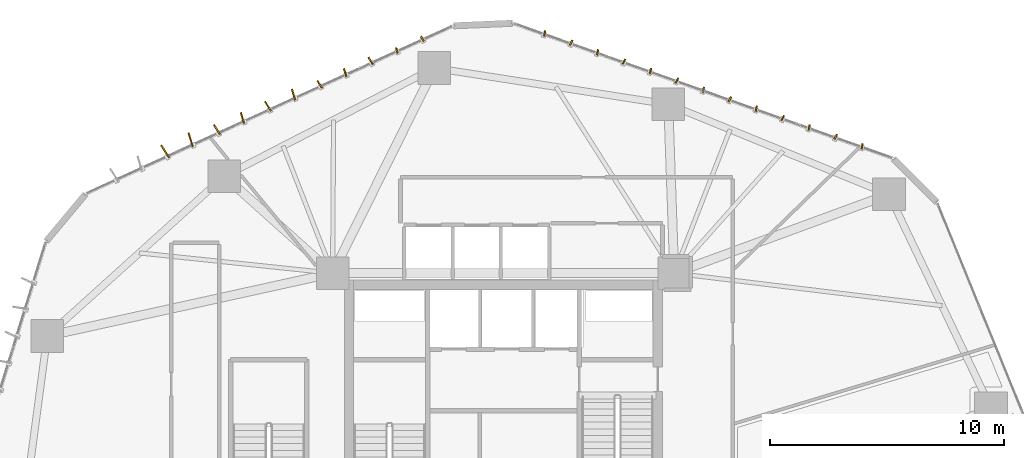
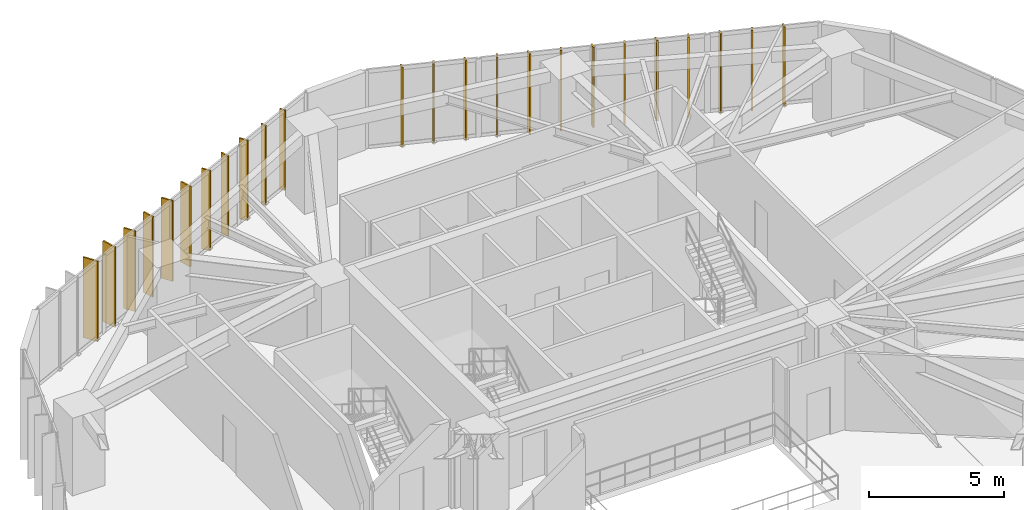
# One storey, part 24 of 24: 24 shading devices.
"""IFC4 building model written with IfcOpenShell, lengths in metres."""

from ifc_helpers import new_model, si_unit, direction, frame, origin, origin_2d, place, context, subcontext, project, spatial, rectangle, extrude, source, transform, mapped, material, layer, layer_set, type_object, type_shapes, element, save


model = new_model("IFC4")

# Units and contexts
model_context = context("Model", 3, precision=1e-05, world=origin(), true_north=direction((0.0, 1.0)))
body_context = subcontext(model_context, "Body", "Model", "MODEL_VIEW")
ifc_project = project(units=[si_unit("LENGTHUNIT", "METRE"), si_unit("AREAUNIT", "SQUARE_METRE"), si_unit("VOLUMEUNIT", "CUBIC_METRE"), si_unit("PLANEANGLEUNIT", "RADIAN"), si_unit("MASSUNIT", "GRAM", prefix="KILO")], contexts=[model_context])

# Site, building, storey
site_placement = place(None, origin())
site = spatial("IfcSite", under=ifc_project, at=site_placement, CompositionType="ELEMENT")
building_placement = place(site_placement, origin())
building = spatial("IfcBuilding", under=site, at=building_placement, Name="Talar Marvaseh", CompositionType="ELEMENT")
storey_placement = place(building_placement, frame((0.0, 0.0, 31.60009765625)))
storey = spatial("IfcBuildingStorey", under=building, at=storey_placement, Name="L07", CompositionType="ELEMENT", Elevation=31.60009765625)

# Shading devices
ifc_material = material(Name="Anodised Champagne Bronze Aluminium", Category="aluminium")
ifc_layer_1 = layer(ifc_material, 0.06494140625)
ifc_layer_set_1 = layer_set([ifc_layer_1], Name="Anodised Champagne Bronze Aluminium")
shading_device_type_1 = type_object("IfcShadingDeviceType", Name="Sawtooth Champagne Bronze Vertical Fin 240", PredefinedType="USERDEFINED", material=ifc_layer_set_1)
shared_shape_1 = source(origin(), body_context, "Body", "SweptSolid", [
    extrude(rectangle(XDim=0.239990234375, YDim=0.06494140625, at=origin_2d()), origin(), (0.0, 0.0, 1.0), 3.639892578125),
])
type_shapes(shading_device_type_1, [shared_shape_1])
for number, where, z_axis, x_axis, name in (
    (1, (21.44140625, 46.420654296875, -0.1201171875), (0.0, 0.0, 1.0), (-0.28518655174, 0.958472029173, 0.0), "L07 Sawtooth Vertical Solar Fin"),
    (2, (22.53271484375, 46.919677734375, -0.1201171875), (0.0, 0.0, 1.0), (-0.53832960413, 0.842734381236, 0.0), "L07 Sawtooth Vertical Solar Fin"),
    (3, (27.76171875, 47.14794921875, -0.1201171875), (0.0, 0.0, 1.0), (0.200564989205, 0.97968039947, 0.0), "L07 Sawtooth Vertical Solar Fin"),
    (4, (28.892333984375, 46.74609375, -0.1201171875), (0.0, 0.0, 1.0), (0.462831956524, 0.886446038978, 0.0), "L07 Sawtooth Vertical Solar Fin"),
    (5, (30.02294921875, 46.343994140625, -0.1201171875), (0.0, 0.0, 1.0), (0.200564989205, 0.97968039947, 0.0), "L07 Sawtooth Vertical Solar Fin"),
    (6, (31.15380859375, 45.942138671875, -0.1201171875), (0.0, 0.0, 1.0), (0.462831956524, 0.886446038978, 0.0), "L07 Sawtooth Vertical Solar Fin"),
    (7, (32.284423828125, 45.540283203125, -0.1201171875), (0.0, 0.0, 1.0), (0.200564989205, 0.97968039947, 0.0), "L07 Sawtooth Vertical Solar Fin"),
    (8, (33.4150390625, 45.13818359375, -0.1201171875), (0.0, 0.0, 1.0), (0.462831956524, 0.886446038978, 0.0), "L07 Sawtooth Vertical Solar Fin"),
    (9, (34.5458984375, 44.736328125, -0.1201171875), (0.0, 0.0, 1.0), (0.200564989205, 0.97968039947, 0.0), "L07 Sawtooth Vertical Solar Fin"),
    (10, (35.676513671875, 44.33447265625, -0.1201171875), (0.0, 0.0, 1.0), (0.462831956524, 0.886446038978, 0.0), "L07 Sawtooth Vertical Solar Fin"),
    (11, (36.80712890625, 43.9326171875, -0.1201171875), (0.0, 0.0, 1.0), (0.200564989205, 0.97968039947, 0.0), "L07 Sawtooth Vertical Solar Fin"),
    (12, (37.93798828125, 43.53076171875, -0.1201171875), (0.0, 0.0, 1.0), (0.462831956524, 0.886446038978, 0.0), "L07 Sawtooth Vertical Solar Fin"),
    (13, (39.068603515625, 43.12890625, -0.1201171875), (0.0, 0.0, 1.0), (0.200564989205, 0.97968039947, 0.0), "L07 Sawtooth Vertical Solar Fin"),
    (14, (40.19921875, 42.726806640625, -0.1201171875), (0.0, 0.0, 1.0), (0.462831956524, 0.886446038978, 0.0), "L07 Sawtooth Vertical Solar Fin"),
    (15, (41.329833984375, 42.324951171875, -0.1201171875), (0.0, 0.0, 1.0), (0.200564989205, 0.97968039947, 0.0), "L07 Sawtooth Vertical Solar Fin"),
):
    element("IfcShadingDevice", number, at=place(storey_placement, frame(where, z_axis=z_axis, x_axis=x_axis)), inside=storey, type_object=shading_device_type_1, Name=name, ObjectType="FIN", PredefinedType="USERDEFINED", context=body_context, shape_type="MappedRepresentation", body=[
        mapped(shared_shape_1, transform((0.0, 0.0, 0.0), x_axis=(1.0, 0.0, 0.0), y_axis=(0.0, 1.0, 0.0), z_axis=(0.0, 0.0, 1.0), scale=1.0)),
    ])
ifc_layer_2 = layer(ifc_material, 0.06494140625)
ifc_layer_set_2 = layer_set([ifc_layer_2], Name="Anodised Champagne Bronze Aluminium")
shading_device_type_2 = type_object("IfcShadingDeviceType", Name="Sawtooth Champagne Bronze Vertical Fin 360", PredefinedType="USERDEFINED", material=ifc_layer_set_2)
shared_shape_2 = source(origin(), body_context, "Body", "SweptSolid", [
    extrude(rectangle(XDim=0.360107421875, YDim=0.06494140625, at=origin_2d()), origin(), (0.0, 0.0, 1.0), 3.639892578125),
])
type_shapes(shading_device_type_2, [shared_shape_2])
for number, where, z_axis, x_axis, name in (
    (16, (18.142333984375, 44.978515625, -0.1201171875), (0.0, 0.0, 1.0), (-0.53832960413, 0.842734381236, 0.0), "L07 Sawtooth Vertical Solar Fin"),
    (17, (19.233642578125, 45.477294921875, -0.1201171875), (0.0, 0.0, 1.0), (-0.28518655174, 0.958472029173, 0.0), "L07 Sawtooth Vertical Solar Fin"),
    (18, (20.324951171875, 45.976318359375, -0.1201171875), (0.0, 0.0, 1.0), (-0.53832960413, 0.842734381236, 0.0), "L07 Sawtooth Vertical Solar Fin"),
):
    element("IfcShadingDevice", number, at=place(storey_placement, frame(where, z_axis=z_axis, x_axis=x_axis)), inside=storey, type_object=shading_device_type_2, Name=name, ObjectType="FIN", PredefinedType="USERDEFINED", context=body_context, shape_type="MappedRepresentation", body=[
        mapped(shared_shape_2, transform((0.0, 0.0, 0.0), x_axis=(1.0, 0.0, 0.0), y_axis=(0.0, 1.0, 0.0), z_axis=(0.0, 0.0, 1.0), scale=1.0)),
    ])
ifc_layer_3 = layer(ifc_material, 0.06494140625)
ifc_layer_set_3 = layer_set([ifc_layer_3], Name="Anodised Champagne Bronze Aluminium")
shading_device_type_3 = type_object("IfcShadingDeviceType", Name="Sawtooth Champagne Bronze Vertical Fin 480", PredefinedType="USERDEFINED", material=ifc_layer_set_3)
shared_shape_3 = source(origin(), body_context, "Body", "SweptSolid", [
    extrude(rectangle(XDim=0.47998046875, YDim=0.06494140625, at=origin_2d()), origin(), (0.0, 0.0, 1.0), 3.639892578125),
])
type_shapes(shading_device_type_3, [shared_shape_3])
for number, where, z_axis, x_axis, name in (
    (19, (13.751953125, 43.037353515625, -0.1201171875), (0.0, 0.0, 1.0), (-0.53832960413, 0.842734381236, 0.0), "L07 Sawtooth Vertical Solar Fin"),
    (20, (14.84326171875, 43.536376953125, -0.1201171875), (0.0, 0.0, 1.0), (-0.28518655174, 0.958472029173, 0.0), "L07 Sawtooth Vertical Solar Fin"),
    (21, (15.9345703125, 44.03515625, -0.1201171875), (0.0, 0.0, 1.0), (-0.53832960413, 0.842734381236, 0.0), "L07 Sawtooth Vertical Solar Fin"),
    (22, (17.02587890625, 44.5341796875, -0.1201171875), (0.0, 0.0, 1.0), (-0.28518655174, 0.958472029173, 0.0), "L07 Sawtooth Vertical Solar Fin"),
):
    element("IfcShadingDevice", number, at=place(storey_placement, frame(where, z_axis=z_axis, x_axis=x_axis)), inside=storey, type_object=shading_device_type_3, Name=name, ObjectType="FIN", PredefinedType="USERDEFINED", context=body_context, shape_type="MappedRepresentation", body=[
        mapped(shared_shape_3, transform((0.0, 0.0, 0.0), x_axis=(1.0, 0.0, 0.0), y_axis=(0.0, 1.0, 0.0), z_axis=(0.0, 0.0, 1.0), scale=1.0)),
    ])
ifc_layer_4 = layer(ifc_material, 0.06494140625)
ifc_layer_set_4 = layer_set([ifc_layer_4], Name="Anodised Champagne Bronze Aluminium")
shading_device_type_4 = type_object("IfcShadingDeviceType", Name="Sawtooth Champagne Bronze Vertical Fin 620", PredefinedType="USERDEFINED", material=ifc_layer_set_4)
shared_shape_4 = source(origin(), body_context, "Body", "SweptSolid", [
    extrude(rectangle(XDim=0.6201171875, YDim=0.06494140625, at=origin_2d()), origin(), (0.0, 0.0, 1.0), 3.639892578125),
])
type_shapes(shading_device_type_4, [shared_shape_4])
for number, where, z_axis, x_axis, name in (
    (23, (11.5400390625, 42.103271484375, -0.1201171875), (0.0, 0.0, 1.0), (-0.53832960413, 0.842734381236, 0.0), "L07 Sawtooth Vertical Solar Fin"),
    (24, (12.63134765625, 42.60205078125, -0.1201171875), (0.0, 0.0, 1.0), (-0.28518655174, 0.958472029173, 0.0), "L07 Sawtooth Vertical Solar Fin"),
):
    element("IfcShadingDevice", number, at=place(storey_placement, frame(where, z_axis=z_axis, x_axis=x_axis)), inside=storey, type_object=shading_device_type_4, Name=name, ObjectType="FIN", PredefinedType="USERDEFINED", context=body_context, shape_type="MappedRepresentation", body=[
        mapped(shared_shape_4, transform((0.0, 0.0, 0.0), x_axis=(1.0, 0.0, 0.0), y_axis=(0.0, 1.0, 0.0), z_axis=(0.0, 0.0, 1.0), scale=1.0)),
    ])

save(model, "model.ifc")
